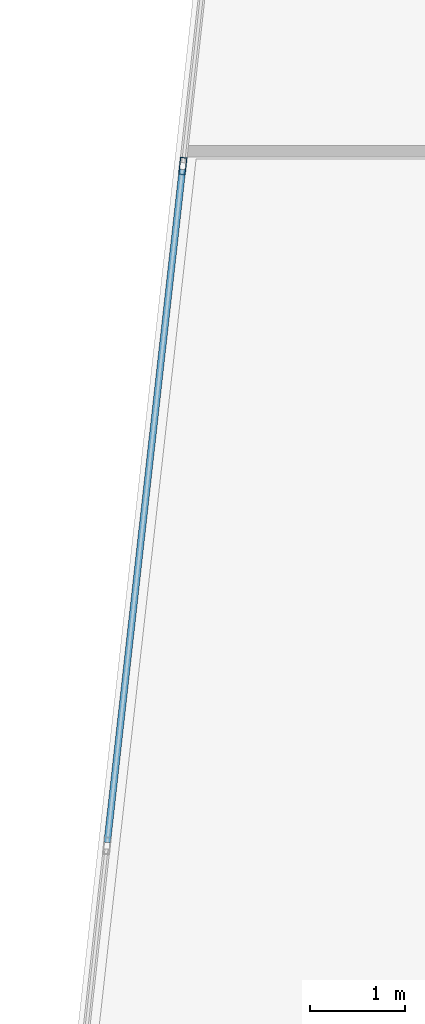
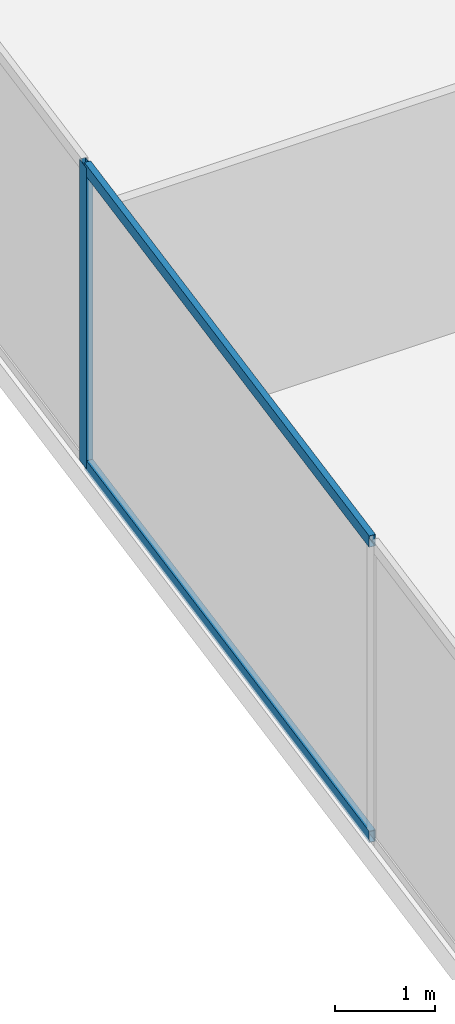
# One storey, part 6 of 31: 3 members, 1 element without a shape of its own.
"""IFC4 building model written with IfcOpenShell, lengths in metres."""

from ifc_helpers import new_model, si_unit, direction, frame, origin, origin_2d, place, context, subcontext, project, spatial, hollow_rectangle, extrude, source, transform, mapped, material, material_profile, profile_set, type_object, type_shapes, element, aggregate, save


model = new_model("IFC4")

# Units and contexts
model_context = context("Model", 3, precision=1e-05, world=origin(), true_north=direction((0.0, 1.0)))
body_context = subcontext(model_context, "Body", "Model", "MODEL_VIEW")
ifc_project = project(units=[si_unit("LENGTHUNIT", "METRE"), si_unit("AREAUNIT", "SQUARE_METRE"), si_unit("VOLUMEUNIT", "CUBIC_METRE"), si_unit("PLANEANGLEUNIT", "RADIAN"), si_unit("MASSUNIT", "GRAM", prefix="KILO")], contexts=[model_context])

# Site, building, storey
site_placement = place(None, origin())
site = spatial("IfcSite", under=ifc_project, at=site_placement, CompositionType="ELEMENT")
building_placement = place(site_placement, origin())
building = spatial("IfcBuilding", under=site, at=building_placement, Name="Krantzveldt Concourse Tower", CompositionType="ELEMENT")
storey_placement = place(building_placement, frame((0.0, 0.0, 56.60009765625)))
storey = spatial("IfcBuildingStorey", under=building, at=storey_placement, Name="L13", CompositionType="ELEMENT", Elevation=56.60009765625)

# Curtain wall, members
ifc_material = material(Name="Anodised aluminium 6063-T6", Category="aluminium")
curtain_wall_type = type_object("IfcCurtainWallType", Name="CW2", PredefinedType="USERDEFINED", material=ifc_material)
curtain_wall_placement = place(storey_placement, origin())
curtain_wall = element("IfcCurtainWall", 1, at=curtain_wall_placement, inside=storey, type_object=curtain_wall_type, Name="CW-L13-F01", ObjectType="UNITISED CURTAIN WALL", PredefinedType="USERDEFINED")
ifc_material_profile_1 = material_profile(ifc_material, hollow_rectangle(XDim=0.070068359375, YDim=0.179931640625, WallThickness=0.0048828125, at=origin_2d()), Name="Anodised aluminium 6063-T6", Category="aluminium")
ifc_profile_set_1 = profile_set([ifc_material_profile_1], Name="Anodised aluminium 6063-T6 - ALU-MULL 180x70x5")
member_type_1 = type_object("IfcMemberType", Name="CW-MUL-180", PredefinedType="MULLION", material=ifc_profile_set_1)
shared_shape_1 = source(origin(), body_context, "Body", "SweptSolid", [
    extrude(hollow_rectangle(XDim=0.070068359375, YDim=0.179931640625, WallThickness=0.0048828125, at=origin_2d()), origin(), (0.0, 0.0, 1.0), 3.669921875),
])
type_shapes(member_type_1, [shared_shape_1])
member_1_placement = place(storey_placement, frame((10.4482421875, 22.343505859375, 0.0), z_axis=(0.0, 0.0, 1.0), x_axis=(0.993816458223, -0.111035342863, 0.0)))
member_1 = element("IfcMember", 2, at=member_1_placement, type_object=member_type_1, Name="CW-Z12 mullion 5", PredefinedType="MULLION", context=body_context, shape_type="MappedRepresentation", body=[
    mapped(shared_shape_1, transform((0.0, 0.0, 0.0), x_axis=(1.0, 0.0, 0.0), y_axis=(0.0, 1.0, 0.0), z_axis=(0.0, 0.0, 1.0), scale=1.0)),
])
ifc_material_profile_2 = material_profile(ifc_material, hollow_rectangle(XDim=0.070068359375, YDim=0.139892578125, WallThickness=0.0048828125, at=origin_2d()), Name="Anodised aluminium 6063-T6", Category="aluminium")
ifc_profile_set_2 = profile_set([ifc_material_profile_2], Name="Anodised aluminium 6063-T6 - ALU-TRAN 140x70x5")
member_type_2 = type_object("IfcMemberType", Name="CW-TRN-150", PredefinedType="USERDEFINED", material=ifc_profile_set_2)
shared_shape_2 = source(origin(), body_context, "Body", "SweptSolid", [
    extrude(hollow_rectangle(XDim=0.070068359375, YDim=0.139892578125, WallThickness=0.0048828125, at=origin_2d()), origin(), (0.0, 0.0, 1.0), 7.096923828125),
])
type_shapes(member_type_2, [shared_shape_2])
member_2_placement = place(storey_placement, frame((10.4443359375, 22.308837890625, 0.034912109375), z_axis=(-0.111012972935, -0.993818957275, 0.0), x_axis=(0.993818957275, -0.111012972935, 0.0)))
member_2 = element("IfcMember", 3, at=member_2_placement, type_object=member_type_2, Name="CW-Z12 transom 5.1", ObjectType="TRANSOM", PredefinedType="USERDEFINED", context=body_context, shape_type="MappedRepresentation", body=[
    mapped(shared_shape_2, transform((0.0, 0.0, 0.0), x_axis=(1.0, 0.0, 0.0), y_axis=(0.0, 1.0, 0.0), z_axis=(0.0, 0.0, 1.0), scale=1.0)),
])
member_3_placement = place(storey_placement, frame((10.4443359375, 22.308837890625, 3.635009765625), z_axis=(-0.111012972935, -0.993818957275, 0.0), x_axis=(0.993818957275, -0.111012972935, 0.0)))
member_3 = element("IfcMember", 4, at=member_3_placement, type_object=member_type_2, Name="CW-Z12 transom 5.2", ObjectType="TRANSOM", PredefinedType="USERDEFINED", context=body_context, shape_type="MappedRepresentation", body=[
    mapped(shared_shape_2, transform((0.0, 0.0, 0.0), x_axis=(1.0, 0.0, 0.0), y_axis=(0.0, 1.0, 0.0), z_axis=(0.0, 0.0, 1.0), scale=1.0)),
])
aggregate(curtain_wall, [member_1, member_2, member_3])

save(model, "model.ifc")
